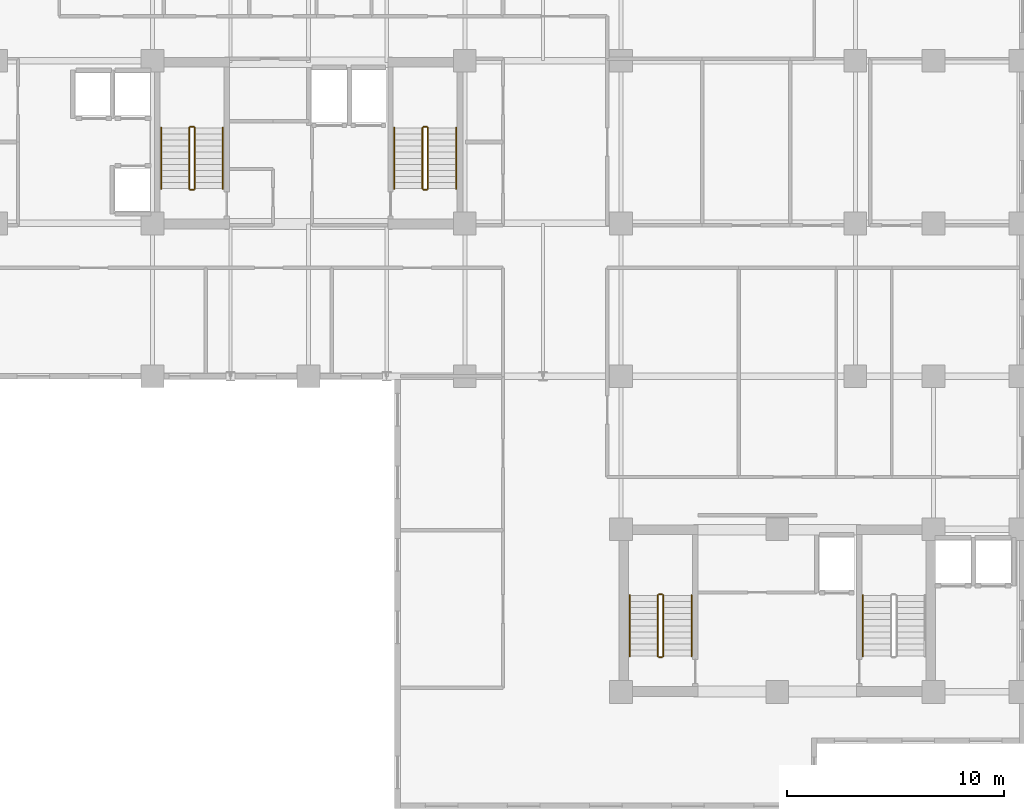
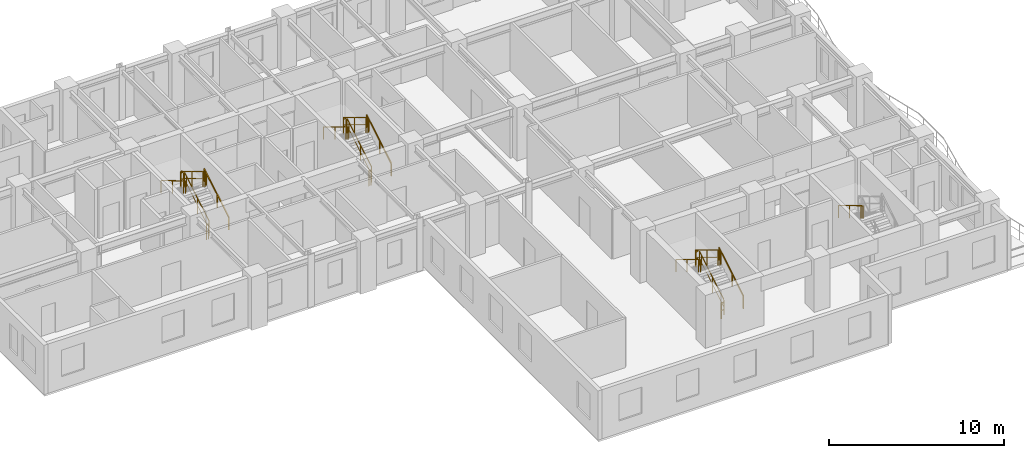
# One storey, part 11 of 13: 19 railings.
"""IFC4 building model written with IfcOpenShell, lengths in metres."""

from ifc_helpers import new_model, si_unit, direction, frame, origin, origin_2d, place, context, subcontext, project, spatial, rectangle, extrude, material, type_object, element, save


model = new_model("IFC4")

# Units and contexts
model_context = context("Model", 3, precision=1e-05, world=origin(), true_north=direction((0.0, 1.0)))
body_context = subcontext(model_context, "Body", "Model", "MODEL_VIEW")
ifc_project = project(units=[si_unit("LENGTHUNIT", "METRE"), si_unit("AREAUNIT", "SQUARE_METRE"), si_unit("VOLUMEUNIT", "CUBIC_METRE"), si_unit("PLANEANGLEUNIT", "RADIAN"), si_unit("MASSUNIT", "GRAM", prefix="KILO")], contexts=[model_context])

# Site, building, storey
site_placement = place(None, origin())
site = spatial("IfcSite", under=ifc_project, at=site_placement, CompositionType="ELEMENT")
building_placement = place(site_placement, origin())
building = spatial("IfcBuilding", under=site, at=building_placement, Name="Kaliganga Portal Commons", CompositionType="ELEMENT")
storey_placement = place(building_placement, frame((0.0, 0.0, 177.199951171875)))
storey = spatial("IfcBuildingStorey", under=building, at=storey_placement, Name="L45", CompositionType="ELEMENT", Elevation=177.199951171875)

# Railings
ifc_material_1 = material(Name="Galvanized Painted Steel Balustrade", Category="steel")
railing_type_1 = type_object("IfcRailingType", Name="RLG-STAIR-GRD", PredefinedType="GUARDRAIL", material=ifc_material_1)
railing_1_placement = place(storey_placement, frame((16.35009765625, 30.25, 0.168212890625)))
element("IfcRailing", 1, at=railing_1_placement, inside=storey, type_object=railing_type_1, Name="L45 ST-A1 stair guard 1", PredefinedType="GUARDRAIL", context=body_context, shape_type="SweptSolid", body=[
    extrude(rectangle(XDim=0.048095703125, YDim=0.048095703125, at=origin_2d()), frame((0.0, 0.0, 1.072021484375), z_axis=(0.0, 0.857242210791, 0.514913383045), x_axis=(-1.0, 0.0, 0.0)), (0.0, 0.0, 1.0), 3.266357421875),
    extrude(rectangle(XDim=0.028076171875, YDim=0.028076171875, at=origin_2d()), frame((0.0, 0.0, 0.572021484375), z_axis=(0.0, 0.857242210791, 0.514913383045), x_axis=(-1.0, 0.0, 0.0)), (0.0, 0.0, 1.0), 3.266357421875),
    extrude(rectangle(XDim=0.0419921875, YDim=0.0419921875, at=origin_2d()), origin(), (0.0, 0.0, 1.0), 1.052001953125),
    extrude(rectangle(XDim=0.0419921875, YDim=0.0419921875, at=origin_2d()), frame((0.0, 1.285888671875, 0.7724609375)), (0.0, 0.0, 1.0), 1.052001953125),
    extrude(rectangle(XDim=0.0419921875, YDim=0.0419921875, at=origin_2d()), frame((0.0, 2.57177734375, 1.544677734375)), (0.0, 0.0, 1.0), 1.052001953125),
    extrude(rectangle(XDim=0.0419921875, YDim=0.0419921875, at=origin_2d()), frame((0.0, 2.800048828125, 1.681884765625)), (0.0, 0.0, 1.0), 1.052001953125),
])
railing_2_placement = place(storey_placement, frame((16.300048828125, 33.10009765625, 1.85009765625)))
element("IfcRailing", 2, at=railing_2_placement, inside=storey, type_object=railing_type_1, Name="L45 ST-A1 stair guard 2", PredefinedType="GUARDRAIL", context=body_context, shape_type="SweptSolid", body=[
    extrude(rectangle(XDim=0.048095703125, YDim=0.048095703125, at=origin_2d()), frame((0.0, 0.0, 1.076171875), z_axis=(-1.0, 0.0, 0.0), x_axis=(0.0, -1.0, 0.0)), (0.0, 0.0, 1.0), 0.150146484375),
    extrude(rectangle(XDim=0.028076171875, YDim=0.028076171875, at=origin_2d()), frame((0.0, 0.0, 0.572021484375), z_axis=(-1.0, 0.0, 0.0), x_axis=(0.0, -1.0, 0.0)), (0.0, 0.0, 1.0), 0.150146484375),
    extrude(rectangle(XDim=0.0419921875, YDim=0.0419921875, at=origin_2d()), origin(), (0.0, 0.0, 1.0), 1.052001953125),
    extrude(rectangle(XDim=0.0419921875, YDim=0.0419921875, at=origin_2d()), frame((-0.150146484375, 0.0, 0.0)), (0.0, 0.0, 1.0), 1.052001953125),
])
railing_3_placement = place(storey_placement, frame((16.10009765625, 33.050048828125, 2.018310546875)))
element("IfcRailing", 3, at=railing_3_placement, inside=storey, type_object=railing_type_1, Name="L45 ST-A1 stair guard 3", PredefinedType="GUARDRAIL", context=body_context, shape_type="SweptSolid", body=[
    extrude(rectangle(XDim=0.048095703125, YDim=0.048095703125, at=origin_2d()), frame((0.0, 0.0, 1.072021484375), z_axis=(0.0, -0.857275202839, 0.514858452973), x_axis=(1.0, 0.0, 0.0)), (0.0, 0.0, 1.0), 3.26611328125),
    extrude(rectangle(XDim=0.028076171875, YDim=0.028076171875, at=origin_2d()), frame((0.0, 0.0, 0.572021484375), z_axis=(0.0, -0.857275202839, 0.514858452973), x_axis=(1.0, 0.0, 0.0)), (0.0, 0.0, 1.0), 3.26611328125),
    extrude(rectangle(XDim=0.0419921875, YDim=0.0419921875, at=origin_2d()), origin(), (0.0, 0.0, 1.0), 1.052001953125),
    extrude(rectangle(XDim=0.0419921875, YDim=0.0419921875, at=origin_2d()), frame((0.0, -1.285888671875, 0.772216796875)), (0.0, 0.0, 1.0), 1.052001953125),
    extrude(rectangle(XDim=0.0419921875, YDim=0.0419921875, at=origin_2d()), frame((0.0, -2.57177734375, 1.544677734375)), (0.0, 0.0, 1.0), 1.052001953125),
    extrude(rectangle(XDim=0.0419921875, YDim=0.0419921875, at=origin_2d()), frame((0.0, -2.800048828125, 1.681640625)), (0.0, 0.0, 1.0), 1.052001953125),
])
railing_4_placement = place(storey_placement, frame((16.300048828125, 30.199951171875, 0.0)))
element("IfcRailing", 4, at=railing_4_placement, inside=storey, type_object=railing_type_1, Name="L45 ST-A1 stair guard 4", PredefinedType="GUARDRAIL", context=body_context, shape_type="SweptSolid", body=[
    extrude(rectangle(XDim=0.048095703125, YDim=0.048095703125, at=origin_2d()), frame((0.0, 0.0, 1.076171875), z_axis=(-1.0, 0.0, 0.0), x_axis=(0.0, -1.0, 0.0)), (0.0, 0.0, 1.0), 0.150146484375),
    extrude(rectangle(XDim=0.028076171875, YDim=0.028076171875, at=origin_2d()), frame((0.0, 0.0, 0.572021484375), z_axis=(-1.0, 0.0, 0.0), x_axis=(0.0, -1.0, 0.0)), (0.0, 0.0, 1.0), 0.150146484375),
    extrude(rectangle(XDim=0.0419921875, YDim=0.0419921875, at=origin_2d()), origin(), (0.0, 0.0, 1.0), 1.052001953125),
    extrude(rectangle(XDim=0.0419921875, YDim=0.0419921875, at=origin_2d()), frame((-0.150146484375, 0.0, 0.0)), (0.0, 0.0, 1.0), 1.052001953125),
])
railing_5_placement = place(storey_placement, frame((27.10009765625, 30.25, 0.168212890625)))
element("IfcRailing", 5, at=railing_5_placement, inside=storey, type_object=railing_type_1, Name="L45 ST-A2 stair guard 1", PredefinedType="GUARDRAIL", context=body_context, shape_type="SweptSolid", body=[
    extrude(rectangle(XDim=0.048095703125, YDim=0.048095703125, at=origin_2d()), frame((0.0, 0.0, 1.072021484375), z_axis=(0.0, 0.857242210791, 0.514913383045), x_axis=(-1.0, 0.0, 0.0)), (0.0, 0.0, 1.0), 3.266357421875),
    extrude(rectangle(XDim=0.028076171875, YDim=0.028076171875, at=origin_2d()), frame((0.0, 0.0, 0.572021484375), z_axis=(0.0, 0.857242210791, 0.514913383045), x_axis=(-1.0, 0.0, 0.0)), (0.0, 0.0, 1.0), 3.266357421875),
    extrude(rectangle(XDim=0.0419921875, YDim=0.0419921875, at=origin_2d()), origin(), (0.0, 0.0, 1.0), 1.052001953125),
    extrude(rectangle(XDim=0.0419921875, YDim=0.0419921875, at=origin_2d()), frame((0.0, 1.285888671875, 0.7724609375)), (0.0, 0.0, 1.0), 1.052001953125),
    extrude(rectangle(XDim=0.0419921875, YDim=0.0419921875, at=origin_2d()), frame((0.0, 2.57177734375, 1.544677734375)), (0.0, 0.0, 1.0), 1.052001953125),
    extrude(rectangle(XDim=0.0419921875, YDim=0.0419921875, at=origin_2d()), frame((0.0, 2.800048828125, 1.681884765625)), (0.0, 0.0, 1.0), 1.052001953125),
])
railing_6_placement = place(storey_placement, frame((27.050048828125, 33.10009765625, 1.85009765625)))
element("IfcRailing", 6, at=railing_6_placement, inside=storey, type_object=railing_type_1, Name="L45 ST-A2 stair guard 2", PredefinedType="GUARDRAIL", context=body_context, shape_type="SweptSolid", body=[
    extrude(rectangle(XDim=0.048095703125, YDim=0.048095703125, at=origin_2d()), frame((0.0, 0.0, 1.076171875), z_axis=(-1.0, 0.0, 0.0), x_axis=(0.0, -1.0, 0.0)), (0.0, 0.0, 1.0), 0.150146484375),
    extrude(rectangle(XDim=0.028076171875, YDim=0.028076171875, at=origin_2d()), frame((0.0, 0.0, 0.572021484375), z_axis=(-1.0, 0.0, 0.0), x_axis=(0.0, -1.0, 0.0)), (0.0, 0.0, 1.0), 0.150146484375),
    extrude(rectangle(XDim=0.0419921875, YDim=0.0419921875, at=origin_2d()), origin(), (0.0, 0.0, 1.0), 1.052001953125),
    extrude(rectangle(XDim=0.0419921875, YDim=0.0419921875, at=origin_2d()), frame((-0.150146484375, 0.0, 0.0)), (0.0, 0.0, 1.0), 1.052001953125),
])
railing_7_placement = place(storey_placement, frame((26.85009765625, 33.050048828125, 2.018310546875)))
element("IfcRailing", 7, at=railing_7_placement, inside=storey, type_object=railing_type_1, Name="L45 ST-A2 stair guard 3", PredefinedType="GUARDRAIL", context=body_context, shape_type="SweptSolid", body=[
    extrude(rectangle(XDim=0.048095703125, YDim=0.048095703125, at=origin_2d()), frame((0.0, 0.0, 1.072021484375), z_axis=(0.0, -0.857275202839, 0.514858452973), x_axis=(1.0, 0.0, 0.0)), (0.0, 0.0, 1.0), 3.26611328125),
    extrude(rectangle(XDim=0.028076171875, YDim=0.028076171875, at=origin_2d()), frame((0.0, 0.0, 0.572021484375), z_axis=(0.0, -0.857275202839, 0.514858452973), x_axis=(1.0, 0.0, 0.0)), (0.0, 0.0, 1.0), 3.26611328125),
    extrude(rectangle(XDim=0.0419921875, YDim=0.0419921875, at=origin_2d()), origin(), (0.0, 0.0, 1.0), 1.052001953125),
    extrude(rectangle(XDim=0.0419921875, YDim=0.0419921875, at=origin_2d()), frame((0.0, -1.285888671875, 0.772216796875)), (0.0, 0.0, 1.0), 1.052001953125),
    extrude(rectangle(XDim=0.0419921875, YDim=0.0419921875, at=origin_2d()), frame((0.0, -2.57177734375, 1.544677734375)), (0.0, 0.0, 1.0), 1.052001953125),
    extrude(rectangle(XDim=0.0419921875, YDim=0.0419921875, at=origin_2d()), frame((0.0, -2.800048828125, 1.681640625)), (0.0, 0.0, 1.0), 1.052001953125),
])
railing_8_placement = place(storey_placement, frame((27.050048828125, 30.199951171875, 0.0)))
element("IfcRailing", 8, at=railing_8_placement, inside=storey, type_object=railing_type_1, Name="L45 ST-A2 stair guard 4", PredefinedType="GUARDRAIL", context=body_context, shape_type="SweptSolid", body=[
    extrude(rectangle(XDim=0.048095703125, YDim=0.048095703125, at=origin_2d()), frame((0.0, 0.0, 1.076171875), z_axis=(-1.0, 0.0, 0.0), x_axis=(0.0, -1.0, 0.0)), (0.0, 0.0, 1.0), 0.150146484375),
    extrude(rectangle(XDim=0.028076171875, YDim=0.028076171875, at=origin_2d()), frame((0.0, 0.0, 0.572021484375), z_axis=(-1.0, 0.0, 0.0), x_axis=(0.0, -1.0, 0.0)), (0.0, 0.0, 1.0), 0.150146484375),
    extrude(rectangle(XDim=0.0419921875, YDim=0.0419921875, at=origin_2d()), origin(), (0.0, 0.0, 1.0), 1.052001953125),
    extrude(rectangle(XDim=0.0419921875, YDim=0.0419921875, at=origin_2d()), frame((-0.150146484375, 0.0, 0.0)), (0.0, 0.0, 1.0), 1.052001953125),
])
railing_9_placement = place(storey_placement, frame((37.949951171875, 8.699951171875, 0.168212890625)))
element("IfcRailing", 9, at=railing_9_placement, inside=storey, type_object=railing_type_1, Name="L45 ST-B1 stair guard 1", PredefinedType="GUARDRAIL", context=body_context, shape_type="SweptSolid", body=[
    extrude(rectangle(XDim=0.048095703125, YDim=0.048095703125, at=origin_2d()), frame((0.0, 0.0, 1.072021484375), z_axis=(0.0, 0.857242210791, 0.514913383045), x_axis=(-1.0, 0.0, 0.0)), (0.0, 0.0, 1.0), 3.266357421875),
    extrude(rectangle(XDim=0.028076171875, YDim=0.028076171875, at=origin_2d()), frame((0.0, 0.0, 0.572021484375), z_axis=(0.0, 0.857242210791, 0.514913383045), x_axis=(-1.0, 0.0, 0.0)), (0.0, 0.0, 1.0), 3.266357421875),
    extrude(rectangle(XDim=0.0419921875, YDim=0.0419921875, at=origin_2d()), origin(), (0.0, 0.0, 1.0), 1.052001953125),
    extrude(rectangle(XDim=0.0419921875, YDim=0.0419921875, at=origin_2d()), frame((0.0, 1.285888671875, 0.7724609375)), (0.0, 0.0, 1.0), 1.052001953125),
    extrude(rectangle(XDim=0.0419921875, YDim=0.0419921875, at=origin_2d()), frame((0.0, 2.57177734375, 1.544677734375)), (0.0, 0.0, 1.0), 1.052001953125),
    extrude(rectangle(XDim=0.0419921875, YDim=0.0419921875, at=origin_2d()), frame((0.0, 2.800048828125, 1.681884765625)), (0.0, 0.0, 1.0), 1.052001953125),
])
railing_10_placement = place(storey_placement, frame((37.89990234375, 11.550048828125, 1.85009765625)))
element("IfcRailing", 10, at=railing_10_placement, inside=storey, type_object=railing_type_1, Name="L45 ST-B1 stair guard 2", PredefinedType="GUARDRAIL", context=body_context, shape_type="SweptSolid", body=[
    extrude(rectangle(XDim=0.048095703125, YDim=0.048095703125, at=origin_2d()), frame((0.0, 0.0, 1.076171875), z_axis=(-1.0, 0.0, 0.0), x_axis=(0.0, -1.0, 0.0)), (0.0, 0.0, 1.0), 0.14990234375),
    extrude(rectangle(XDim=0.028076171875, YDim=0.028076171875, at=origin_2d()), frame((0.0, 0.0, 0.572021484375), z_axis=(-1.0, 0.0, 0.0), x_axis=(0.0, -1.0, 0.0)), (0.0, 0.0, 1.0), 0.14990234375),
    extrude(rectangle(XDim=0.0419921875, YDim=0.0419921875, at=origin_2d()), frame((-0.14990234375, 0.0, 0.0)), (0.0, 0.0, 1.0), 1.052001953125),
])
railing_11_placement = place(storey_placement, frame((37.699951171875, 11.5, 2.018310546875)))
element("IfcRailing", 11, at=railing_11_placement, inside=storey, type_object=railing_type_1, Name="L45 ST-B1 stair guard 3", PredefinedType="GUARDRAIL", context=body_context, shape_type="SweptSolid", body=[
    extrude(rectangle(XDim=0.048095703125, YDim=0.048095703125, at=origin_2d()), frame((0.0, 0.0, 1.072021484375), z_axis=(0.0, -0.857275202839, 0.514858452973), x_axis=(1.0, 0.0, 0.0)), (0.0, 0.0, 1.0), 3.26611328125),
    extrude(rectangle(XDim=0.028076171875, YDim=0.028076171875, at=origin_2d()), frame((0.0, 0.0, 0.572021484375), z_axis=(0.0, -0.857275202839, 0.514858452973), x_axis=(1.0, 0.0, 0.0)), (0.0, 0.0, 1.0), 3.26611328125),
    extrude(rectangle(XDim=0.0419921875, YDim=0.0419921875, at=origin_2d()), origin(), (0.0, 0.0, 1.0), 1.052001953125),
    extrude(rectangle(XDim=0.0419921875, YDim=0.0419921875, at=origin_2d()), frame((0.0, -1.285888671875, 0.772216796875)), (0.0, 0.0, 1.0), 1.052001953125),
    extrude(rectangle(XDim=0.0419921875, YDim=0.0419921875, at=origin_2d()), frame((0.0, -2.57177734375, 1.544677734375)), (0.0, 0.0, 1.0), 1.052001953125),
    extrude(rectangle(XDim=0.0419921875, YDim=0.0419921875, at=origin_2d()), frame((0.0, -2.800048828125, 1.681640625)), (0.0, 0.0, 1.0), 1.052001953125),
])
railing_12_placement = place(storey_placement, frame((37.89990234375, 8.64990234375, 0.0)))
element("IfcRailing", 12, at=railing_12_placement, inside=storey, type_object=railing_type_1, Name="L45 ST-B1 stair guard 4", PredefinedType="GUARDRAIL", context=body_context, shape_type="SweptSolid", body=[
    extrude(rectangle(XDim=0.048095703125, YDim=0.048095703125, at=origin_2d()), frame((0.0, 0.0, 1.076171875), z_axis=(-1.0, 0.0, 0.0), x_axis=(0.0, -1.0, 0.0)), (0.0, 0.0, 1.0), 0.14990234375),
    extrude(rectangle(XDim=0.028076171875, YDim=0.028076171875, at=origin_2d()), frame((0.0, 0.0, 0.572021484375), z_axis=(-1.0, 0.0, 0.0), x_axis=(0.0, -1.0, 0.0)), (0.0, 0.0, 1.0), 0.14990234375),
    extrude(rectangle(XDim=0.0419921875, YDim=0.0419921875, at=origin_2d()), frame((-0.14990234375, 0.0, 0.0)), (0.0, 0.0, 1.0), 1.052001953125),
])
ifc_material_2 = material(Name="Brushed Stainless Steel 316", Category="steel")
railing_type_2 = type_object("IfcRailingType", Name="RLG-STAIR-HR", PredefinedType="HANDRAIL", material=ifc_material_2)
railing_13_placement = place(storey_placement, frame((17.64990234375, 30.25, 0.168212890625)))
element("IfcRailing", 13, at=railing_13_placement, inside=storey, type_object=railing_type_2, Name="L45 ST-A1 stair handrail 1", PredefinedType="HANDRAIL", context=body_context, shape_type="SweptSolid", body=[
    extrude(rectangle(XDim=0.048095703125, YDim=0.048095703125, at=origin_2d()), frame((0.0, 0.0, 0.871826171875), z_axis=(0.0, 0.857242210791, 0.514913383045), x_axis=(-1.0, 0.0, 0.0)), (0.0, 0.0, 1.0), 3.266357421875),
    extrude(rectangle(XDim=0.0419921875, YDim=0.0419921875, at=origin_2d()), origin(), (0.0, 0.0, 1.0), 0.851806640625),
    extrude(rectangle(XDim=0.0419921875, YDim=0.0419921875, at=origin_2d()), frame((0.0, 1.285888671875, 0.7724609375)), (0.0, 0.0, 1.0), 0.851806640625),
    extrude(rectangle(XDim=0.0419921875, YDim=0.0419921875, at=origin_2d()), frame((0.0, 2.57177734375, 1.544677734375)), (0.0, 0.0, 1.0), 0.851806640625),
    extrude(rectangle(XDim=0.0419921875, YDim=0.0419921875, at=origin_2d()), frame((0.0, 2.800048828125, 1.681884765625)), (0.0, 0.0, 1.0), 0.851806640625),
])
railing_14_placement = place(storey_placement, frame((14.800048828125, 33.050048828125, 2.018310546875)))
element("IfcRailing", 14, at=railing_14_placement, inside=storey, type_object=railing_type_2, Name="L45 ST-A1 stair handrail 2", PredefinedType="HANDRAIL", context=body_context, shape_type="SweptSolid", body=[
    extrude(rectangle(XDim=0.048095703125, YDim=0.048095703125, at=origin_2d()), frame((0.0, 0.0, 0.871826171875), z_axis=(0.0, -0.857275202839, 0.514858452973), x_axis=(1.0, 0.0, 0.0)), (0.0, 0.0, 1.0), 3.26611328125),
    extrude(rectangle(XDim=0.0419921875, YDim=0.0419921875, at=origin_2d()), origin(), (0.0, 0.0, 1.0), 0.851806640625),
    extrude(rectangle(XDim=0.0419921875, YDim=0.0419921875, at=origin_2d()), frame((0.0, -1.285888671875, 0.772216796875)), (0.0, 0.0, 1.0), 0.851806640625),
    extrude(rectangle(XDim=0.0419921875, YDim=0.0419921875, at=origin_2d()), frame((0.0, -2.57177734375, 1.544677734375)), (0.0, 0.0, 1.0), 0.851806640625),
    extrude(rectangle(XDim=0.0419921875, YDim=0.0419921875, at=origin_2d()), frame((0.0, -2.800048828125, 1.681640625)), (0.0, 0.0, 1.0), 0.851806640625),
])
railing_15_placement = place(storey_placement, frame((28.39990234375, 30.25, 0.168212890625)))
element("IfcRailing", 15, at=railing_15_placement, inside=storey, type_object=railing_type_2, Name="L45 ST-A2 stair handrail 1", PredefinedType="HANDRAIL", context=body_context, shape_type="SweptSolid", body=[
    extrude(rectangle(XDim=0.048095703125, YDim=0.048095703125, at=origin_2d()), frame((0.0, 0.0, 0.871826171875), z_axis=(0.0, 0.857242210791, 0.514913383045), x_axis=(-1.0, 0.0, 0.0)), (0.0, 0.0, 1.0), 3.266357421875),
    extrude(rectangle(XDim=0.0419921875, YDim=0.0419921875, at=origin_2d()), origin(), (0.0, 0.0, 1.0), 0.851806640625),
    extrude(rectangle(XDim=0.0419921875, YDim=0.0419921875, at=origin_2d()), frame((0.0, 1.285888671875, 0.7724609375)), (0.0, 0.0, 1.0), 0.851806640625),
    extrude(rectangle(XDim=0.0419921875, YDim=0.0419921875, at=origin_2d()), frame((0.0, 2.57177734375, 1.544677734375)), (0.0, 0.0, 1.0), 0.851806640625),
    extrude(rectangle(XDim=0.0419921875, YDim=0.0419921875, at=origin_2d()), frame((0.0, 2.800048828125, 1.681884765625)), (0.0, 0.0, 1.0), 0.851806640625),
])
railing_16_placement = place(storey_placement, frame((25.550048828125, 33.050048828125, 2.018310546875)))
element("IfcRailing", 16, at=railing_16_placement, inside=storey, type_object=railing_type_2, Name="L45 ST-A2 stair handrail 2", PredefinedType="HANDRAIL", context=body_context, shape_type="SweptSolid", body=[
    extrude(rectangle(XDim=0.048095703125, YDim=0.048095703125, at=origin_2d()), frame((0.0, 0.0, 0.871826171875), z_axis=(0.0, -0.857275202839, 0.514858452973), x_axis=(1.0, 0.0, 0.0)), (0.0, 0.0, 1.0), 3.26611328125),
    extrude(rectangle(XDim=0.0419921875, YDim=0.0419921875, at=origin_2d()), origin(), (0.0, 0.0, 1.0), 0.851806640625),
    extrude(rectangle(XDim=0.0419921875, YDim=0.0419921875, at=origin_2d()), frame((0.0, -1.285888671875, 0.772216796875)), (0.0, 0.0, 1.0), 0.851806640625),
    extrude(rectangle(XDim=0.0419921875, YDim=0.0419921875, at=origin_2d()), frame((0.0, -2.57177734375, 1.544677734375)), (0.0, 0.0, 1.0), 0.851806640625),
    extrude(rectangle(XDim=0.0419921875, YDim=0.0419921875, at=origin_2d()), frame((0.0, -2.800048828125, 1.681640625)), (0.0, 0.0, 1.0), 0.851806640625),
])
railing_17_placement = place(storey_placement, frame((39.25, 8.699951171875, 0.168212890625)))
element("IfcRailing", 17, at=railing_17_placement, inside=storey, type_object=railing_type_2, Name="L45 ST-B1 stair handrail 1", PredefinedType="HANDRAIL", context=body_context, shape_type="SweptSolid", body=[
    extrude(rectangle(XDim=0.048095703125, YDim=0.048095703125, at=origin_2d()), frame((0.0, 0.0, 0.871826171875), z_axis=(0.0, 0.857242210791, 0.514913383045), x_axis=(-1.0, 0.0, 0.0)), (0.0, 0.0, 1.0), 3.266357421875),
    extrude(rectangle(XDim=0.0419921875, YDim=0.0419921875, at=origin_2d()), origin(), (0.0, 0.0, 1.0), 0.851806640625),
    extrude(rectangle(XDim=0.0419921875, YDim=0.0419921875, at=origin_2d()), frame((0.0, 1.285888671875, 0.7724609375)), (0.0, 0.0, 1.0), 0.851806640625),
    extrude(rectangle(XDim=0.0419921875, YDim=0.0419921875, at=origin_2d()), frame((0.0, 2.57177734375, 1.544677734375)), (0.0, 0.0, 1.0), 0.851806640625),
    extrude(rectangle(XDim=0.0419921875, YDim=0.0419921875, at=origin_2d()), frame((0.0, 2.800048828125, 1.681884765625)), (0.0, 0.0, 1.0), 0.851806640625),
])
for number, where, name in (
    (18, (36.39990234375, 11.5, 2.018310546875), "L45 ST-B1 stair handrail 2"),
    (19, (47.14990234375, 11.5, 2.018310546875), "L45 ST-B2 stair handrail 2"),
):
    element("IfcRailing", number, at=place(storey_placement, frame(where)), inside=storey, type_object=railing_type_2, Name=name, PredefinedType="HANDRAIL", context=body_context, shape_type="SweptSolid", body=[
        extrude(rectangle(XDim=0.048095703125, YDim=0.048095703125, at=origin_2d()), frame((0.0, 0.0, 0.871826171875), z_axis=(0.0, -0.857275202839, 0.514858452973), x_axis=(1.0, 0.0, 0.0)), (0.0, 0.0, 1.0), 3.26611328125),
        extrude(rectangle(XDim=0.0419921875, YDim=0.0419921875, at=origin_2d()), origin(), (0.0, 0.0, 1.0), 0.851806640625),
        extrude(rectangle(XDim=0.0419921875, YDim=0.0419921875, at=origin_2d()), frame((0.0, -1.285888671875, 0.772216796875)), (0.0, 0.0, 1.0), 0.851806640625),
        extrude(rectangle(XDim=0.0419921875, YDim=0.0419921875, at=origin_2d()), frame((0.0, -2.57177734375, 1.544677734375)), (0.0, 0.0, 1.0), 0.851806640625),
        extrude(rectangle(XDim=0.0419921875, YDim=0.0419921875, at=origin_2d()), frame((0.0, -2.800048828125, 1.681640625)), (0.0, 0.0, 1.0), 0.851806640625),
    ])

save(model, "model.ifc")
